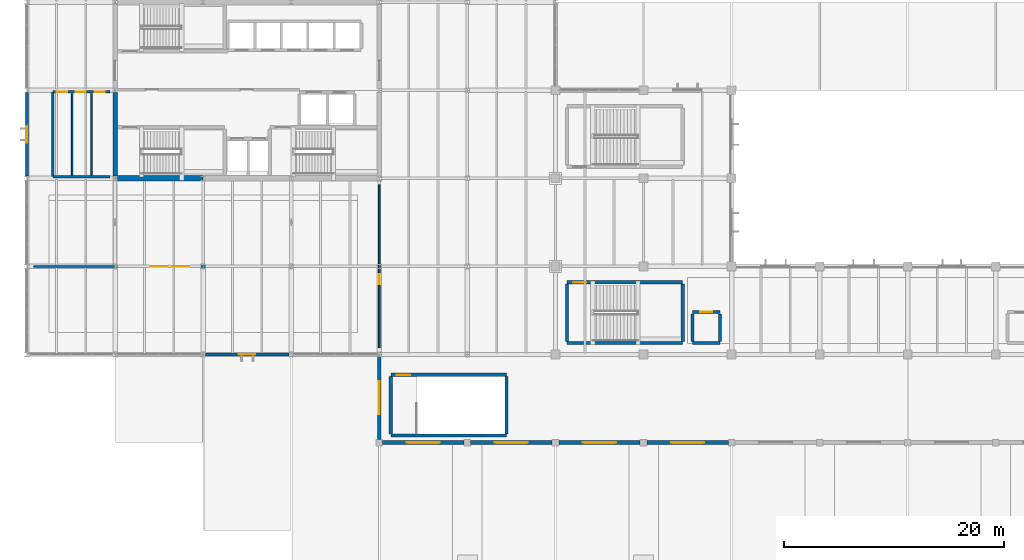
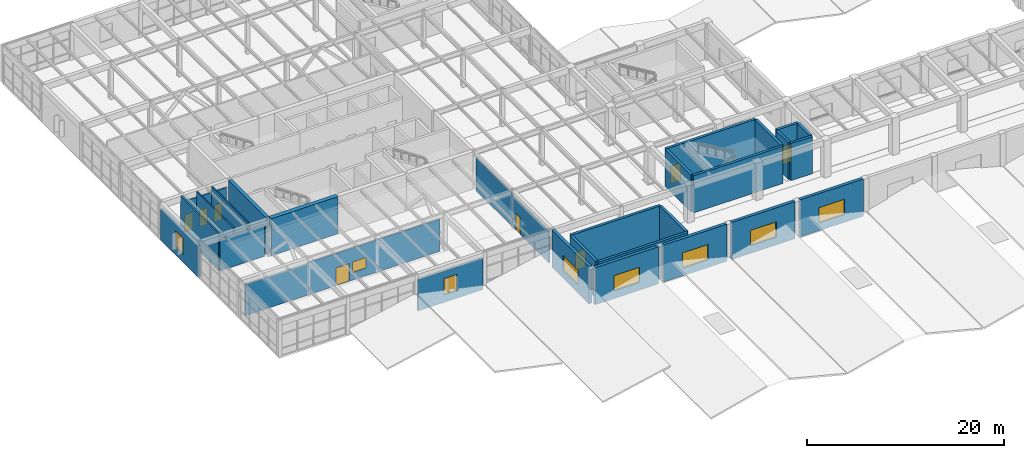
# One storey, part 42 of 60: 30 walls, 8 doors, 8 windows, 16 openings.
"""IFC4 building model written with IfcOpenShell, lengths in metres."""

from ifc_helpers import new_model, si_unit, direction, frame, frame_2d, origin, place, context, subcontext, project, spatial, rectangle, extrude, material, layer, layer_set, type_object, element, fill, save


model = new_model("IFC4")

# Units and contexts
model_context = context("Model", 3, precision=1e-05, world=origin(), true_north=direction((0.0, 1.0)))
body_context = subcontext(model_context, "Body", "Model", "MODEL_VIEW")
ifc_project = project(units=[si_unit("LENGTHUNIT", "METRE"), si_unit("AREAUNIT", "SQUARE_METRE"), si_unit("VOLUMEUNIT", "CUBIC_METRE"), si_unit("PLANEANGLEUNIT", "RADIAN"), si_unit("MASSUNIT", "GRAM", prefix="KILO")], contexts=[model_context])

# Site, building, storey
site_placement = place(None, origin())
site = spatial("IfcSite", under=ifc_project, at=site_placement, CompositionType="ELEMENT")
building_placement = place(site_placement, origin())
building = spatial("IfcBuilding", under=site, at=building_placement, Name="Varnela Railside Interchange", CompositionType="ELEMENT")
storey_placement = place(building_placement, frame((0.0, 0.0, 6.300048828125)))
storey = spatial("IfcBuildingStorey", under=building, at=storey_placement, Name="L01", CompositionType="ELEMENT", Elevation=6.300048828125)

# Walls
ifc_material_1 = material(Name="Gypsum acoustic board")
ifc_layer_1 = layer(ifc_material_1, 0.14990234375)
ifc_layer_set_1 = layer_set([ifc_layer_1], Name="Gypsum acoustic board")
wall_type_1 = type_object("IfcWallType", Name="Acoustic Drywall Partition IW-01", PredefinedType="PARTITIONING", material=ifc_layer_set_1)
for number, where, z_axis, x_axis, name in (
    (1, (8.10009765625, 54.300048828125, 0.0), (0.0, 0.0, 1.0), (0.0, 1.0, 0.0), "Acoustic Drywall Partition IW-01 (L01) (WL-0568)"),
    (2, (9.85009765625, 54.300048828125, 0.0), (0.0, 0.0, 1.0), (0.0, 1.0, 0.0), "Acoustic Drywall Partition IW-01 (L01) (WL-0569)"),
):
    element("IfcWall", number, at=place(storey_placement, frame(where, z_axis=z_axis, x_axis=x_axis)), inside=storey, type_object=wall_type_1, Name=name, PredefinedType="PARTITIONING", context=body_context, shape_type="SweptSolid", body=[
        extrude(rectangle(XDim=7.39990234375, YDim=0.14990234375, at=frame_2d((3.699951171875, 0.0))), origin(), (0.0, 0.0, 1.0), 4.599853515625),
    ])

# Wall, opening, door
wall_1_placement = place(storey_placement, frame((36.0, 38.60009765625, 0.0), z_axis=(0.0, 0.0, 1.0), x_axis=(0.0, 1.0, 0.0)))
wall_1 = element("IfcWall", 3, at=wall_1_placement, inside=storey, type_object=wall_type_1, Name="Acoustic Drywall Partition IW-01 (L01) (WL-0566)", PredefinedType="PARTITIONING", context=body_context, shape_type="SweptSolid", body=[
    extrude(rectangle(XDim=7.39990234375, YDim=0.14990234375, at=frame_2d((3.699951171875, 0.0))), origin(), (0.0, 0.0, 1.0), 3.849853515625),
])
opening_1_placement = place(wall_1_placement, frame((5.800048828125, 0.0, 0.0)))
opening_1 = element("IfcOpeningElement", 4, at=opening_1_placement, cuts=wall_1, Name="Opening D-207", PredefinedType="OPENING", context=body_context, shape_type="SweptSolid", body=[
    extrude(rectangle(XDim=0.89990234375, YDim=2.10009765625, at=frame_2d((0.449951171875, 1.050048828125))), frame((0.0, 0.0849609375, 0.0), z_axis=(0.0, -1.0, 0.0), x_axis=(1.0, 0.0, 0.0)), (0.0, 0.0, 1.0), 0.169921875),
])
ifc_material_2 = material(Name="Timber solid core", Category="wood")
door_type_1 = type_object("IfcDoorType", Name="DR-SGL-900", OperationType="NOTDEFINED", PredefinedType="DOOR", material=ifc_material_2)
door_1_placement = place(opening_1_placement, origin())
door_1 = element("IfcDoor", 5, at=door_1_placement, inside=storey, type_object=door_type_1, Name="Door D-207", OperationType="SINGLE_SWING_LEFT", OverallHeight=2.10009765625, OverallWidth=0.89990234375, PredefinedType="DOOR", context=body_context, shape_type="SweptSolid", body=[
    extrude(rectangle(XDim=0.89990234375, YDim=2.10009765625, at=frame_2d((0.449951171875, 1.050048828125))), frame((0.0, 0.02490234375, 0.0), z_axis=(0.0, -1.0, 0.0), x_axis=(1.0, 0.0, 0.0)), (0.0, 0.0, 1.0), 0.050048828125),
])
fill(opening_1, door_1)

# Wall
wall_2_placement = place(storey_placement, frame((36.0, 46.0, 0.0), z_axis=(0.0, 0.0, 1.0), x_axis=(0.0, 1.0, 0.0)))
element("IfcWall", 6, at=wall_2_placement, inside=storey, type_object=wall_type_1, Name="Acoustic Drywall Partition IW-01 (L01) (WL-0567)", PredefinedType="PARTITIONING", context=body_context, shape_type="SweptSolid", body=[
    extrude(rectangle(XDim=7.39990234375, YDim=0.14990234375, at=frame_2d((3.699951171875, 0.0))), origin(), (0.0, 0.0, 1.0), 4.055908203125),
])

# Wall, opening, window
ifc_material_3 = material(Name="Concrete C40 precast", Category="concrete")
ifc_layer_2 = layer(ifc_material_3, 0.35009765625)
ifc_layer_set_2 = layer_set([ifc_layer_2], Name="Concrete C40 precast")
wall_type_2 = type_object("IfcWallType", Name="Bus Deck Acoustic Concrete Wall EW-04", PredefinedType="STANDARD", material=ifc_layer_set_2)
wall_3_placement = place(storey_placement, frame((67.699951171875, 30.0, 0.0), z_axis=(0.0, 0.0, 1.0), x_axis=(-1.0, 0.0, 0.0)))
wall_3 = element("IfcWall", 7, at=wall_3_placement, inside=storey, type_object=wall_type_2, Name="Bus Deck Acoustic Concrete Wall EW-04 (L01) (WL-0545)", PredefinedType="STANDARD", context=body_context, shape_type="SweptSolid", body=[
    extrude(rectangle(XDim=7.39990234375, YDim=0.35009765625, at=frame_2d((3.699951171875, 0.0))), origin(), (0.0, 0.0, 1.0), 4.599853515625),
])
opening_2_placement = place(wall_3_placement, frame((2.199951171875, 0.0, 0.949951171875)))
opening_2 = element("IfcOpeningElement", 8, at=opening_2_placement, cuts=wall_3, Name="Opening W-055", PredefinedType="OPENING", context=body_context, shape_type="SweptSolid", body=[
    extrude(rectangle(XDim=3.0, YDim=1.89990234375, at=frame_2d((1.5, 0.949951171875))), frame((0.0, 0.18505859375, 0.0), z_axis=(0.0, -1.0, 0.0), x_axis=(1.0, 0.0, 0.0)), (0.0, 0.0, 1.0), 0.3701171875),
])
ifc_material_4 = material(Name="Glass laminated double", Category="glass")
window_type_1 = type_object("IfcWindowType", Name="Bus Overlook Picture Window WN-07", PartitioningType="SINGLE_PANEL", PredefinedType="WINDOW", material=ifc_material_4)
window_1_placement = place(opening_2_placement, origin())
window_1 = element("IfcWindow", 9, at=window_1_placement, inside=storey, type_object=window_type_1, Name="Window W-055", OverallHeight=1.89990234375, OverallWidth=3.0, PartitioningType="SINGLE_PANEL", PredefinedType="WINDOW", context=body_context, shape_type="SweptSolid", body=[
    extrude(rectangle(XDim=3.0, YDim=1.89990234375, at=frame_2d((1.5, 0.949951171875))), frame((0.0, 0.030029296875, 0.0), z_axis=(0.0, -1.0, 0.0), x_axis=(1.0, 0.0, 0.0)), (0.0, 0.0, 1.0), 0.06005859375),
])
fill(opening_2, window_1)

wall_4_placement = place(storey_placement, frame((59.699951171875, 30.0, 0.0), z_axis=(0.0, 0.0, 1.0), x_axis=(-1.0, 0.0, 0.0)))
wall_4 = element("IfcWall", 10, at=wall_4_placement, inside=storey, type_object=wall_type_2, Name="Bus Deck Acoustic Concrete Wall EW-04 (L01) (WL-0546)", PredefinedType="STANDARD", context=body_context, shape_type="SweptSolid", body=[
    extrude(rectangle(XDim=7.39990234375, YDim=0.35009765625, at=frame_2d((3.699951171875, 0.0))), origin(), (0.0, 0.0, 1.0), 4.599853515625),
])
opening_3_placement = place(wall_4_placement, frame((2.199951171875, 0.0, 0.949951171875)))
opening_3 = element("IfcOpeningElement", 11, at=opening_3_placement, cuts=wall_4, Name="Opening W-056", PredefinedType="OPENING", context=body_context, shape_type="SweptSolid", body=[
    extrude(rectangle(XDim=3.0, YDim=1.89990234375, at=frame_2d((1.5, 0.949951171875))), frame((0.0, 0.18505859375, 0.0), z_axis=(0.0, -1.0, 0.0), x_axis=(1.0, 0.0, 0.0)), (0.0, 0.0, 1.0), 0.3701171875),
])
window_2_placement = place(opening_3_placement, origin())
window_2 = element("IfcWindow", 12, at=window_2_placement, inside=storey, type_object=window_type_1, Name="Window W-056", OverallHeight=1.89990234375, OverallWidth=3.0, PartitioningType="SINGLE_PANEL", PredefinedType="WINDOW", context=body_context, shape_type="SweptSolid", body=[
    extrude(rectangle(XDim=3.0, YDim=1.89990234375, at=frame_2d((1.5, 0.949951171875))), frame((0.0, 0.030029296875, 0.0), z_axis=(0.0, -1.0, 0.0), x_axis=(1.0, 0.0, 0.0)), (0.0, 0.0, 1.0), 0.06005859375),
])
fill(opening_3, window_2)

wall_5_placement = place(storey_placement, frame((51.699951171875, 30.0, 0.0), z_axis=(0.0, 0.0, 1.0), x_axis=(-1.0, 0.0, 0.0)))
wall_5 = element("IfcWall", 13, at=wall_5_placement, inside=storey, type_object=wall_type_2, Name="Bus Deck Acoustic Concrete Wall EW-04 (L01) (WL-0547)", PredefinedType="STANDARD", context=body_context, shape_type="SweptSolid", body=[
    extrude(rectangle(XDim=7.39990234375, YDim=0.35009765625, at=frame_2d((3.699951171875, 0.0))), origin(), (0.0, 0.0, 1.0), 4.599853515625),
])
opening_4_placement = place(wall_5_placement, frame((2.199951171875, 0.0, 0.949951171875)))
opening_4 = element("IfcOpeningElement", 14, at=opening_4_placement, cuts=wall_5, Name="Opening W-057", PredefinedType="OPENING", context=body_context, shape_type="SweptSolid", body=[
    extrude(rectangle(XDim=3.0, YDim=1.89990234375, at=frame_2d((1.5, 0.949951171875))), frame((0.0, 0.18505859375, 0.0), z_axis=(0.0, -1.0, 0.0), x_axis=(1.0, 0.0, 0.0)), (0.0, 0.0, 1.0), 0.3701171875),
])
window_3_placement = place(opening_4_placement, origin())
window_3 = element("IfcWindow", 15, at=window_3_placement, inside=storey, type_object=window_type_1, Name="Window W-057", OverallHeight=1.89990234375, OverallWidth=3.0, PartitioningType="SINGLE_PANEL", PredefinedType="WINDOW", context=body_context, shape_type="SweptSolid", body=[
    extrude(rectangle(XDim=3.0, YDim=1.89990234375, at=frame_2d((1.5, 0.949951171875))), frame((0.0, 0.030029296875, 0.0), z_axis=(0.0, -1.0, 0.0), x_axis=(1.0, 0.0, 0.0)), (0.0, 0.0, 1.0), 0.06005859375),
])
fill(opening_4, window_3)

wall_6_placement = place(storey_placement, frame((43.699951171875, 30.0, 0.0), z_axis=(0.0, 0.0, 1.0), x_axis=(-1.0, 0.0, 0.0)))
wall_6 = element("IfcWall", 16, at=wall_6_placement, inside=storey, type_object=wall_type_2, Name="Bus Deck Acoustic Concrete Wall EW-04 (L01) (WL-0548)", PredefinedType="STANDARD", context=body_context, shape_type="SweptSolid", body=[
    extrude(rectangle(XDim=7.39990234375, YDim=0.35009765625, at=frame_2d((3.699951171875, 0.0))), origin(), (0.0, 0.0, 1.0), 4.599853515625),
])
opening_5_placement = place(wall_6_placement, frame((2.199951171875, 0.0, 0.949951171875)))
opening_5 = element("IfcOpeningElement", 17, at=opening_5_placement, cuts=wall_6, Name="Opening W-058", PredefinedType="OPENING", context=body_context, shape_type="SweptSolid", body=[
    extrude(rectangle(XDim=3.0, YDim=1.89990234375, at=frame_2d((1.5, 0.949951171875))), frame((0.0, 0.18505859375, 0.0), z_axis=(0.0, -1.0, 0.0), x_axis=(1.0, 0.0, 0.0)), (0.0, 0.0, 1.0), 0.3701171875),
])
window_4_placement = place(opening_5_placement, origin())
window_4 = element("IfcWindow", 18, at=window_4_placement, inside=storey, type_object=window_type_1, Name="Window W-058", OverallHeight=1.89990234375, OverallWidth=3.0, PartitioningType="SINGLE_PANEL", PredefinedType="WINDOW", context=body_context, shape_type="SweptSolid", body=[
    extrude(rectangle(XDim=3.0, YDim=1.89990234375, at=frame_2d((1.5, 0.949951171875))), frame((0.0, 0.030029296875, 0.0), z_axis=(0.0, -1.0, 0.0), x_axis=(1.0, 0.0, 0.0)), (0.0, 0.0, 1.0), 0.06005859375),
])
fill(opening_5, window_4)

wall_7_placement = place(storey_placement, frame((36.0, 30.300048828125, 0.0), z_axis=(0.0, 0.0, 1.0), x_axis=(0.0, 1.0, 0.0)))
wall_7 = element("IfcWall", 19, at=wall_7_placement, inside=storey, type_object=wall_type_2, Name="Bus Deck Acoustic Concrete Wall EW-04 (L01) (WL-0549)", PredefinedType="STANDARD", context=body_context, shape_type="SweptSolid", body=[
    extrude(rectangle(XDim=7.50634765625, YDim=0.35009765625, at=frame_2d((3.753173828125, 0.0))), origin(), (0.0, 0.0, 1.0), 4.599853515625),
])
opening_6_placement = place(wall_7_placement, frame((2.253173828125, 0.0, 0.949951171875)))
opening_6 = element("IfcOpeningElement", 20, at=opening_6_placement, cuts=wall_7, Name="Opening W-059", PredefinedType="OPENING", context=body_context, shape_type="SweptSolid", body=[
    extrude(rectangle(XDim=3.0, YDim=1.89990234375, at=frame_2d((1.5, 0.949951171875))), frame((0.0, 0.18505859375, 0.0), z_axis=(0.0, -1.0, 0.0), x_axis=(1.0, 0.0, 0.0)), (0.0, 0.0, 1.0), 0.3701171875),
])
window_5_placement = place(opening_6_placement, origin())
window_5 = element("IfcWindow", 21, at=window_5_placement, inside=storey, type_object=window_type_1, Name="Window W-059", OverallHeight=1.89990234375, OverallWidth=3.0, PartitioningType="SINGLE_PANEL", PredefinedType="WINDOW", context=body_context, shape_type="SweptSolid", body=[
    extrude(rectangle(XDim=3.0, YDim=1.89990234375, at=frame_2d((1.5, 0.949951171875))), frame((0.0, 0.030029296875, 0.0), z_axis=(0.0, -1.0, 0.0), x_axis=(1.0, 0.0, 0.0)), (0.0, 0.0, 1.0), 0.06005859375),
])
fill(opening_6, window_5)

# Walls
ifc_material_5 = material(Name="Concrete C50", Category="concrete")
ifc_layer_3 = layer(ifc_material_5, 0.39990234375)
ifc_layer_set_3 = layer_set([ifc_layer_3], Name="Concrete C50")
wall_type_3 = type_object("IfcWallType", Name="Core Coupling Shear Wall SW-02", PredefinedType="SHEAR", material=ifc_layer_set_3)
wall_8_placement = place(storey_placement, frame((12.0, 54.199462890625, 0.0), z_axis=(0.0, 0.0, 1.0), x_axis=(0.0, 1.0, 0.0)))
element("IfcWall", 22, at=wall_8_placement, inside=storey, type_object=wall_type_3, Name="Core Coupling Shear Wall SW-02 (L01) (WL-0510)", PredefinedType="SHEAR", context=body_context, shape_type="SweptSolid", body=[
    extrude(rectangle(XDim=7.60107421875, YDim=0.39990234375, at=frame_2d((3.800537109375, 0.0))), origin(), (0.0, 0.0, 1.0), 4.599853515625),
])
ifc_layer_4 = layer(ifc_material_5, 0.5)
ifc_layer_set_4 = layer_set([ifc_layer_4], Name="Concrete C50")
wall_type_4 = type_object("IfcWallType", Name="Core Primary Shear Wall SW-01", PredefinedType="SHEAR", material=ifc_layer_set_4)
wall_9_placement = place(storey_placement, frame((12.200439453125, 54.0, 0.0), z_axis=(0.0, 0.0, 1.0), x_axis=(1.0, 0.0, 0.0)))
element("IfcWall", 23, at=wall_9_placement, inside=storey, type_object=wall_type_4, Name="Core Primary Shear Wall SW-01 (L01) (WL-0501)", PredefinedType="SHEAR", context=body_context, shape_type="SweptSolid", body=[
    extrude(rectangle(XDim=7.799560546875, YDim=0.5, at=frame_2d((3.89990234375, 0.0))), origin(), (0.0, 0.0, 1.0), 4.599853515625),
])
ifc_layer_5 = layer(ifc_material_1, 0.179931640625)
ifc_layer_set_5 = layer_set([ifc_layer_5], Name="Gypsum acoustic board")
wall_type_5 = type_object("IfcWallType", Name="Double-Stud Corridor Wall IW-02", PredefinedType="PARTITIONING", material=ifc_layer_set_5)
wall_10_placement = place(storey_placement, frame((4.60009765625, 46.0, 0.0), z_axis=(0.0, 0.0, 1.0), x_axis=(1.0, 0.0, 0.0)))
element("IfcWall", 24, at=wall_10_placement, inside=storey, type_object=wall_type_5, Name="Double-Stud Corridor Wall IW-02 (L01) (WL-0564)", PredefinedType="PARTITIONING", context=body_context, shape_type="SweptSolid", body=[
    extrude(rectangle(XDim=7.39990234375, YDim=0.199951171875, at=frame_2d((3.699951171875, 0.0))), origin(), (0.0, 0.0, 1.0), 3.849853515625),
])

# Wall, openings, door, window
wall_11_placement = place(storey_placement, frame((12.0, 46.0, 0.0), z_axis=(0.0, 0.0, 1.0), x_axis=(1.0, 0.0, 0.0)))
wall_11 = element("IfcWall", 25, at=wall_11_placement, inside=storey, type_object=wall_type_5, Name="Double-Stud Corridor Wall IW-02 (L01) (WL-0565)", PredefinedType="PARTITIONING", context=body_context, shape_type="SweptSolid", body=[
    extrude(rectangle(XDim=15.39990234375, YDim=0.199951171875, at=frame_2d((7.699951171875, 0.0))), origin(), (0.0, 0.0, 1.0), 3.988037109375),
])
opening_7_placement = place(wall_11_placement, frame((3.199951171875, 0.0, 0.0)))
opening_7 = element("IfcOpeningElement", 26, at=opening_7_placement, cuts=wall_11, Name="Opening D-205", PredefinedType="OPENING", context=body_context, shape_type="SweptSolid", body=[
    extrude(rectangle(XDim=1.60009765625, YDim=2.199951171875, at=frame_2d((0.800048828125, 1.10009765625))), frame((0.0, 0.10986328125, 0.0), z_axis=(0.0, -1.0, 0.0), x_axis=(1.0, 0.0, 0.0)), (0.0, 0.0, 1.0), 0.219970703125),
])
opening_8_placement = place(wall_11_placement, frame((5.14990234375, 0.0, 0.949951171875)))
opening_8 = element("IfcOpeningElement", 27, at=opening_8_placement, cuts=wall_11, Name="Opening IW-008", PredefinedType="OPENING", context=body_context, shape_type="SweptSolid", body=[
    extrude(rectangle(XDim=1.60009765625, YDim=1.300048828125, at=frame_2d((0.800048828125, 0.64990234375))), frame((0.0, 0.10986328125, 0.0), z_axis=(0.0, -1.0, 0.0), x_axis=(1.0, 0.0, 0.0)), (0.0, 0.0, 1.0), 0.219970703125),
])
door_type_2 = type_object("IfcDoorType", Name="DR-DBL-1600", OperationType="DOUBLE_DOOR_SINGLE_SWING", PredefinedType="DOOR", material=ifc_material_4)
door_2_placement = place(opening_7_placement, origin())
door_2 = element("IfcDoor", 28, at=door_2_placement, inside=storey, type_object=door_type_2, Name="Door D-205", OperationType="DOUBLE_DOOR_SINGLE_SWING", OverallHeight=2.199951171875, OverallWidth=1.60009765625, PredefinedType="DOOR", context=body_context, shape_type="SweptSolid", body=[
    extrude(rectangle(XDim=1.60009765625, YDim=2.199951171875, at=frame_2d((0.800048828125, 1.10009765625))), frame((0.0, 0.02490234375, 0.0), z_axis=(0.0, -1.0, 0.0), x_axis=(1.0, 0.0, 0.0)), (0.0, 0.0, 1.0), 0.050048828125),
])
fill(opening_7, door_2)
window_type_2 = type_object("IfcWindowType", Name="Interior Acoustic Vision Window IW-WN1", PartitioningType="SINGLE_PANEL", PredefinedType="WINDOW", material=ifc_material_4)
window_6_placement = place(opening_8_placement, origin())
window_6 = element("IfcWindow", 29, at=window_6_placement, inside=storey, type_object=window_type_2, Name="Window IW-008", OverallHeight=1.300048828125, OverallWidth=1.60009765625, PartitioningType="SINGLE_PANEL", PredefinedType="WINDOW", context=body_context, shape_type="SweptSolid", body=[
    extrude(rectangle(XDim=1.60009765625, YDim=1.300048828125, at=frame_2d((0.800048828125, 0.64990234375))), frame((0.0, 0.030029296875, 0.0), z_axis=(0.0, -1.0, 0.0), x_axis=(1.0, 0.0, 0.0)), (0.0, 0.0, 1.0), 0.06005859375),
])
fill(opening_8, window_6)

# Wall, opening, window
ifc_layer_6 = layer(ifc_material_3, 0.280029296875)
ifc_layer_set_6 = layer_set([ifc_layer_6], Name="Concrete C40 precast")
wall_type_6 = type_object("IfcWallType", Name="Ribbed Precast Concrete Facade Wall EW-02", PredefinedType="STANDARD", material=ifc_layer_set_6)
wall_12_placement = place(storey_placement, frame((4.0, 54.193603515625, 0.0), z_axis=(0.0, 0.0, 1.0), x_axis=(0.0, 1.0, 0.0)))
wall_12 = element("IfcWall", 30, at=wall_12_placement, inside=storey, type_object=wall_type_6, Name="Ribbed Precast Concrete Facade Wall EW-02 (L01) (WL-0524)", PredefinedType="STANDARD", context=body_context, shape_type="SweptSolid", body=[
    extrude(rectangle(XDim=7.61279296875, YDim=0.280029296875, at=frame_2d((3.806396484375, 0.0))), origin(), (0.0, 0.0, 1.0), 3.849853515625),
])
opening_9_placement = place(wall_12_placement, frame((3.056396484375, 0.0, 0.949951171875)))
opening_9 = element("IfcOpeningElement", 31, at=opening_9_placement, cuts=wall_12, Name="Opening W-022", PredefinedType="OPENING", context=body_context, shape_type="SweptSolid", body=[
    extrude(rectangle(XDim=1.5, YDim=2.0, at=frame_2d((0.75, 1.0))), frame((0.0, 0.14990234375, 0.0), z_axis=(0.0, -1.0, 0.0), x_axis=(1.0, 0.0, 0.0)), (0.0, 0.0, 1.0), 0.300048828125),
])
window_type_3 = type_object("IfcWindowType", Name="Operations Modular Window WN-04", PartitioningType="SINGLE_PANEL", PredefinedType="WINDOW", material=ifc_material_4)
window_7_placement = place(opening_9_placement, origin())
window_7 = element("IfcWindow", 32, at=window_7_placement, inside=storey, type_object=window_type_3, Name="Window W-022", OverallHeight=2.0, OverallWidth=1.5, PartitioningType="SINGLE_PANEL", PredefinedType="WINDOW", context=body_context, shape_type="SweptSolid", body=[
    extrude(rectangle(XDim=1.5, YDim=2.0, at=frame_2d((0.75, 1.0))), frame((0.0, 0.030029296875, 0.0), z_axis=(0.0, -1.0, 0.0), x_axis=(1.0, 0.0, 0.0)), (0.0, 0.0, 1.0), 0.06005859375),
])
fill(opening_9, window_7)

wall_13_placement = place(storey_placement, frame((27.801025390625, 38.0, 0.0), z_axis=(0.0, 0.0, 1.0), x_axis=(-1.0, 0.0, 0.0)))
wall_13 = element("IfcWall", 33, at=wall_13_placement, inside=storey, type_object=wall_type_6, Name="Ribbed Precast Concrete Facade Wall EW-02 (L01) (WL-0550)", PredefinedType="STANDARD", context=body_context, shape_type="SweptSolid", body=[
    extrude(rectangle(XDim=7.60205078125, YDim=0.280029296875, at=frame_2d((3.801025390625, 0.0))), origin(), (0.0, 0.0, 1.0), 3.849853515625),
])
opening_10_placement = place(wall_13_placement, frame((3.051025390625, 0.0, 0.949951171875)))
opening_10 = element("IfcOpeningElement", 34, at=opening_10_placement, cuts=wall_13, Name="Opening W-060", PredefinedType="OPENING", context=body_context, shape_type="SweptSolid", body=[
    extrude(rectangle(XDim=1.5, YDim=2.0, at=frame_2d((0.75, 1.0))), frame((0.0, 0.14990234375, 0.0), z_axis=(0.0, -1.0, 0.0), x_axis=(1.0, 0.0, 0.0)), (0.0, 0.0, 1.0), 0.300048828125),
])
window_8_placement = place(opening_10_placement, origin())
window_8 = element("IfcWindow", 35, at=window_8_placement, inside=storey, type_object=window_type_3, Name="Window W-060", OverallHeight=2.0, OverallWidth=1.5, PartitioningType="SINGLE_PANEL", PredefinedType="WINDOW", context=body_context, shape_type="SweptSolid", body=[
    extrude(rectangle(XDim=1.5, YDim=2.0, at=frame_2d((0.75, 1.0))), frame((0.0, 0.030029296875, 0.0), z_axis=(0.0, -1.0, 0.0), x_axis=(1.0, 0.0, 0.0)), (0.0, 0.0, 1.0), 0.06005859375),
])
fill(opening_10, window_8)

# Wall, openings, doors
ifc_material_6 = material(Name="Masonry concrete block", Category="masonry")
ifc_layer_7 = layer(ifc_material_6, 0.2099609375)
ifc_layer_set_7 = layer_set([ifc_layer_7], Name="Masonry concrete block")
wall_type_7 = type_object("IfcWallType", Name="Sanitary Plumbing Chase Wall IW-04", PredefinedType="PLUMBINGWALL", material=ifc_layer_set_7)
wall_14_placement = place(storey_placement, frame((6.35009765625, 61.85009765625, 0.0), z_axis=(0.0, 0.0, 1.0), x_axis=(1.0, 0.0, 0.0)))
wall_14 = element("IfcWall", 36, at=wall_14_placement, inside=storey, type_object=wall_type_7, Name="Sanitary Plumbing Chase Wall IW-04 (L01) (WL-0570)", PredefinedType="PLUMBINGWALL", context=body_context, shape_type="SweptSolid", body=[
    extrude(rectangle(XDim=5.199951171875, YDim=0.2099609375, at=frame_2d((2.60009765625, 0.0))), origin(), (0.0, 0.0, 1.0), 3.849853515625),
])
opening_11_placement = place(wall_14_placement, frame((0.35009765625, 0.0, 0.0)))
opening_11 = element("IfcOpeningElement", 37, at=opening_11_placement, cuts=wall_14, Name="Opening D-197", PredefinedType="OPENING", context=body_context, shape_type="SweptSolid", body=[
    extrude(rectangle(XDim=0.949951171875, YDim=2.10009765625, at=frame_2d((0.47509765625, 1.050048828125))), frame((0.0, 0.114990234375, 0.0), z_axis=(0.0, -1.0, 0.0), x_axis=(1.0, 0.0, 0.0)), (0.0, 0.0, 1.0), 0.22998046875),
])
opening_12_placement = place(wall_14_placement, frame((2.10009765625, 0.0, 0.0)))
opening_12 = element("IfcOpeningElement", 38, at=opening_12_placement, cuts=wall_14, Name="Opening D-198", PredefinedType="OPENING", context=body_context, shape_type="SweptSolid", body=[
    extrude(rectangle(XDim=0.89990234375, YDim=2.10009765625, at=frame_2d((0.449951171875, 1.050048828125))), frame((0.0, 0.114990234375, 0.0), z_axis=(0.0, -1.0, 0.0), x_axis=(1.0, 0.0, 0.0)), (0.0, 0.0, 1.0), 0.22998046875),
])
opening_13_placement = place(wall_14_placement, frame((3.800048828125, 0.0, 0.0)))
opening_13 = element("IfcOpeningElement", 39, at=opening_13_placement, cuts=wall_14, Name="Opening D-199", PredefinedType="OPENING", context=body_context, shape_type="SweptSolid", body=[
    extrude(rectangle(XDim=0.89990234375, YDim=2.10009765625, at=frame_2d((0.449951171875, 1.050048828125))), frame((0.0, 0.114990234375, 0.0), z_axis=(0.0, -1.0, 0.0), x_axis=(1.0, 0.0, 0.0)), (0.0, 0.0, 1.0), 0.22998046875),
])
door_3_placement = place(opening_12_placement, origin())
door_3 = element("IfcDoor", 40, at=door_3_placement, inside=storey, type_object=door_type_1, Name="Door D-198", OperationType="SINGLE_SWING_RIGHT", OverallHeight=2.10009765625, OverallWidth=0.89990234375, PredefinedType="DOOR", context=body_context, shape_type="SweptSolid", body=[
    extrude(rectangle(XDim=0.89990234375, YDim=2.10009765625, at=frame_2d((0.449951171875, 1.050048828125))), frame((0.0, 0.02490234375, 0.0), z_axis=(0.0, -1.0, 0.0), x_axis=(1.0, 0.0, 0.0)), (0.0, 0.0, 1.0), 0.050048828125),
])
fill(opening_12, door_3)
door_4_placement = place(opening_13_placement, origin())
door_4 = element("IfcDoor", 41, at=door_4_placement, inside=storey, type_object=door_type_1, Name="Door D-199", OperationType="SINGLE_SWING_LEFT", OverallHeight=2.10009765625, OverallWidth=0.89990234375, PredefinedType="DOOR", context=body_context, shape_type="SweptSolid", body=[
    extrude(rectangle(XDim=0.89990234375, YDim=2.10009765625, at=frame_2d((0.449951171875, 1.050048828125))), frame((0.0, 0.02490234375, 0.0), z_axis=(0.0, -1.0, 0.0), x_axis=(1.0, 0.0, 0.0)), (0.0, 0.0, 1.0), 0.050048828125),
])
fill(opening_13, door_4)
door_type_3 = type_object("IfcDoorType", Name="DR-SGL-950-ACC", OperationType="NOTDEFINED", PredefinedType="DOOR", material=ifc_material_2)
door_5_placement = place(opening_11_placement, origin())
door_5 = element("IfcDoor", 42, at=door_5_placement, inside=storey, type_object=door_type_3, Name="Door D-197", OperationType="SINGLE_SWING_LEFT", OverallHeight=2.10009765625, OverallWidth=0.949951171875, PredefinedType="DOOR", context=body_context, shape_type="SweptSolid", body=[
    extrude(rectangle(XDim=0.949951171875, YDim=2.10009765625, at=frame_2d((0.47509765625, 1.050048828125))), frame((0.0, 0.02490234375, 0.0), z_axis=(0.0, -1.0, 0.0), x_axis=(1.0, 0.0, 0.0)), (0.0, 0.0, 1.0), 0.050048828125),
])
fill(opening_11, door_5)

# Walls
wall_15_placement = place(storey_placement, frame((6.35009765625, 54.14990234375, 0.0), z_axis=(0.0, 0.0, 1.0), x_axis=(1.0, 0.0, 0.0)))
element("IfcWall", 43, at=wall_15_placement, inside=storey, type_object=wall_type_7, Name="Sanitary Plumbing Chase Wall IW-04 (L01) (WL-0571)", PredefinedType="PLUMBINGWALL", context=body_context, shape_type="SweptSolid", body=[
    extrude(rectangle(XDim=5.199951171875, YDim=0.2099609375, at=frame_2d((2.60009765625, 0.0))), origin(), (0.0, 0.0, 1.0), 3.849853515625),
])
wall_16_placement = place(storey_placement, frame((6.35009765625, 54.14990234375, 0.0), z_axis=(0.0, 0.0, 1.0), x_axis=(0.0, 1.0, 0.0)))
element("IfcWall", 44, at=wall_16_placement, inside=storey, type_object=wall_type_7, Name="Sanitary Plumbing Chase Wall IW-04 (L01) (WL-0572)", PredefinedType="PLUMBINGWALL", context=body_context, shape_type="SweptSolid", body=[
    extrude(rectangle(XDim=7.7001953125, YDim=0.2099609375, at=frame_2d((3.85009765625, 0.0))), origin(), (0.0, 0.0, 1.0), 4.599853515625),
])

# Wall, opening, door
ifc_layer_8 = layer(ifc_material_5, 0.300048828125)
ifc_layer_set_8 = layer_set([ifc_layer_8], Name="Concrete C50")
wall_type_8 = type_object("IfcWallType", Name="Stair & Lift Shaft Wall SW-03", PredefinedType="SHEAR", material=ifc_layer_set_8)
wall_17_placement = place(storey_placement, frame((53.050048828125, 44.550048828125, 0.0), z_axis=(0.0, 0.0, 1.0), x_axis=(1.0, 0.0, 0.0)))
wall_17 = element("IfcWall", 45, at=wall_17_placement, inside=storey, type_object=wall_type_8, Name="Stair & Lift Shaft Wall SW-03 (L01) (WL-0586)", PredefinedType="SHEAR", context=body_context, shape_type="SweptSolid", body=[
    extrude(rectangle(XDim=10.5, YDim=0.300048828125, at=frame_2d((5.25, 0.0))), origin(), (0.0, 0.0, 1.0), 4.599853515625),
])
opening_14_placement = place(wall_17_placement, frame((0.550048828125, 0.0, 0.0)))
opening_14 = element("IfcOpeningElement", 46, at=opening_14_placement, cuts=wall_17, Name="Opening D-190", PredefinedType="OPENING", context=body_context, shape_type="SweptSolid", body=[
    extrude(rectangle(XDim=1.199951171875, YDim=2.199951171875, at=frame_2d((0.60009765625, 1.10009765625))), frame((0.0, 0.159912109375, 0.0), z_axis=(0.0, -1.0, 0.0), x_axis=(1.0, 0.0, 0.0)), (0.0, 0.0, 1.0), 0.320068359375),
])
ifc_material_7 = material(Name="Steel AR 350 (350 MPa)", Category="steel")
door_type_4 = type_object("IfcDoorType", Name="DR-SGL-1200-FD90", OperationType="NOTDEFINED", PredefinedType="DOOR", material=ifc_material_7)
door_6_placement = place(opening_14_placement, frame((1.199951171875, 0.0, 0.0), z_axis=(0.0, 0.0, 1.0), x_axis=(-1.0, 0.0, 0.0)))
door_6 = element("IfcDoor", 47, at=door_6_placement, inside=storey, type_object=door_type_4, Name="Door D-190", OperationType="SINGLE_SWING_RIGHT", OverallHeight=2.199951171875, OverallWidth=1.199951171875, PredefinedType="DOOR", context=body_context, shape_type="SweptSolid", body=[
    extrude(rectangle(XDim=1.199951171875, YDim=2.199951171875, at=frame_2d((0.60009765625, 1.10009765625))), frame((0.0, 0.02490234375, 0.0), z_axis=(0.0, -1.0, 0.0), x_axis=(1.0, 0.0, 0.0)), (0.0, 0.0, 1.0), 0.050048828125),
])
fill(opening_14, door_6)

# Walls
wall_18_placement = place(storey_placement, frame((53.050048828125, 39.050048828125, 0.0), z_axis=(0.0, 0.0, 1.0), x_axis=(1.0, 0.0, 0.0)))
element("IfcWall", 48, at=wall_18_placement, inside=storey, type_object=wall_type_8, Name="Stair & Lift Shaft Wall SW-03 (L01) (WL-0587)", PredefinedType="SHEAR", context=body_context, shape_type="SweptSolid", body=[
    extrude(rectangle(XDim=10.5, YDim=0.300048828125, at=frame_2d((5.25, 0.0))), origin(), (0.0, 0.0, 1.0), 4.599853515625),
])
for number, where, z_axis, x_axis, name in (
    (49, (53.050048828125, 39.199951171875, 0.0), (0.0, 0.0, 1.0), (0.0, 1.0, 0.0), "Stair & Lift Shaft Wall SW-03 (L01) (WL-0588)"),
    (50, (63.550048828125, 39.199951171875, 0.0), (0.0, 0.0, 1.0), (0.0, 1.0, 0.0), "Stair & Lift Shaft Wall SW-03 (L01) (WL-0585)"),
):
    element("IfcWall", number, at=place(storey_placement, frame(where, z_axis=z_axis, x_axis=x_axis)), inside=storey, type_object=wall_type_8, Name=name, PredefinedType="SHEAR", context=body_context, shape_type="SweptSolid", body=[
        extrude(rectangle(XDim=5.199951171875, YDim=0.300048828125, at=frame_2d((2.60009765625, 0.0))), origin(), (0.0, 0.0, 1.0), 4.599853515625),
    ])

# Wall, opening, door
wall_19_placement = place(storey_placement, frame((37.050048828125, 36.14990234375, 0.0), z_axis=(0.0, 0.0, 1.0), x_axis=(1.0, 0.0, 0.0)))
wall_19 = element("IfcWall", 51, at=wall_19_placement, inside=storey, type_object=wall_type_8, Name="Stair & Lift Shaft Wall SW-03 (L01) (WL-0614)", PredefinedType="SHEAR", context=body_context, shape_type="SweptSolid", body=[
    extrude(rectangle(XDim=10.5, YDim=0.300048828125, at=frame_2d((5.25, 0.0))), origin(), (0.0, 0.0, 1.0), 4.599853515625),
])
opening_15_placement = place(wall_19_placement, frame((0.550048828125, 0.0, 0.0)))
opening_15 = element("IfcOpeningElement", 52, at=opening_15_placement, cuts=wall_19, Name="Opening D-194", PredefinedType="OPENING", context=body_context, shape_type="SweptSolid", body=[
    extrude(rectangle(XDim=1.199951171875, YDim=2.199951171875, at=frame_2d((0.60009765625, 1.10009765625))), frame((0.0, 0.159912109375, 0.0), z_axis=(0.0, -1.0, 0.0), x_axis=(1.0, 0.0, 0.0)), (0.0, 0.0, 1.0), 0.320068359375),
])
door_7_placement = place(opening_15_placement, frame((1.199951171875, 0.0, 0.0), z_axis=(0.0, 0.0, 1.0), x_axis=(-1.0, 0.0, 0.0)))
door_7 = element("IfcDoor", 53, at=door_7_placement, inside=storey, type_object=door_type_4, Name="Door D-194", OperationType="SINGLE_SWING_RIGHT", OverallHeight=2.199951171875, OverallWidth=1.199951171875, PredefinedType="DOOR", context=body_context, shape_type="SweptSolid", body=[
    extrude(rectangle(XDim=1.199951171875, YDim=2.199951171875, at=frame_2d((0.60009765625, 1.10009765625))), frame((0.0, 0.02490234375, 0.0), z_axis=(0.0, -1.0, 0.0), x_axis=(1.0, 0.0, 0.0)), (0.0, 0.0, 1.0), 0.050048828125),
])
fill(opening_15, door_7)

# Walls
wall_20_placement = place(storey_placement, frame((37.050048828125, 30.64990234375, 0.0), z_axis=(0.0, 0.0, 1.0), x_axis=(1.0, 0.0, 0.0)))
element("IfcWall", 54, at=wall_20_placement, inside=storey, type_object=wall_type_8, Name="Stair & Lift Shaft Wall SW-03 (L01) (WL-0615)", PredefinedType="SHEAR", context=body_context, shape_type="SweptSolid", body=[
    extrude(rectangle(XDim=10.5, YDim=0.300048828125, at=frame_2d((5.25, 0.0))), origin(), (0.0, 0.0, 1.0), 4.599853515625),
])
for number, where, z_axis, x_axis, name in (
    (55, (37.050048828125, 30.800048828125, 0.0), (0.0, 0.0, 1.0), (0.0, 1.0, 0.0), "Stair & Lift Shaft Wall SW-03 (L01) (WL-0616)"),
    (56, (47.550048828125, 30.800048828125, 0.0), (0.0, 0.0, 1.0), (0.0, 1.0, 0.0), "Stair & Lift Shaft Wall SW-03 (L01) (WL-0613)"),
):
    element("IfcWall", number, at=place(storey_placement, frame(where, z_axis=z_axis, x_axis=x_axis)), inside=storey, type_object=wall_type_8, Name=name, PredefinedType="SHEAR", context=body_context, shape_type="SweptSolid", body=[
        extrude(rectangle(XDim=5.199951171875, YDim=0.300048828125, at=frame_2d((2.60009765625, 0.0))), origin(), (0.0, 0.0, 1.0), 4.599853515625),
    ])

# Wall, opening, door
wall_21_placement = place(storey_placement, frame((64.449951171875, 41.85009765625, 0.0), z_axis=(0.0, 0.0, 1.0), x_axis=(1.0, 0.0, 0.0)))
wall_21 = element("IfcWall", 57, at=wall_21_placement, inside=storey, type_object=wall_type_8, Name="Stair & Lift Shaft Wall SW-03 (L01) (WL-0574)", PredefinedType="SHEAR", context=body_context, shape_type="SweptSolid", body=[
    extrude(rectangle(XDim=2.5, YDim=0.300048828125, at=frame_2d((1.25, 0.0))), origin(), (0.0, 0.0, 1.0), 4.599853515625),
])
opening_16_placement = place(wall_21_placement, frame((0.699951171875, 0.0, 0.0)))
opening_16 = element("IfcOpeningElement", 58, at=opening_16_placement, cuts=wall_21, Name="Opening LD-040", PredefinedType="OPENING", context=body_context, shape_type="SweptSolid", body=[
    extrude(rectangle(XDim=1.080078125, YDim=2.199951171875, at=frame_2d((0.5400390625, 1.10009765625))), frame((0.0, 0.159912109375, 0.0), z_axis=(0.0, -1.0, 0.0), x_axis=(1.0, 0.0, 0.0)), (0.0, 0.0, 1.0), 0.320068359375),
])
door_type_5 = type_object("IfcDoorType", Name="DR-LIFT-1080", OperationType="SLIDING_TO_LEFT", PredefinedType="DOOR", material=ifc_material_7)
door_8_placement = place(opening_16_placement, origin())
door_8 = element("IfcDoor", 59, at=door_8_placement, inside=storey, type_object=door_type_5, Name="Door LD-040", OperationType="SLIDING_TO_LEFT", OverallHeight=2.199951171875, OverallWidth=1.080078125, PredefinedType="DOOR", context=body_context, shape_type="SweptSolid", body=[
    extrude(rectangle(XDim=1.080078125, YDim=2.199951171875, at=frame_2d((0.5400390625, 1.10009765625))), frame((0.0, 0.02490234375, 0.0), z_axis=(0.0, -1.0, 0.0), x_axis=(1.0, 0.0, 0.0)), (0.0, 0.0, 1.0), 0.050048828125),
])
fill(opening_16, door_8)

# Walls
for number, where, z_axis, x_axis, name in (
    (60, (64.449951171875, 39.050048828125, 0.0), (0.0, 0.0, 1.0), (1.0, 0.0, 0.0), "Stair & Lift Shaft Wall SW-03 (L01) (WL-0575)"),
    (61, (64.449951171875, 39.199951171875, 0.0), (0.0, 0.0, 1.0), (0.0, 1.0, 0.0), "Stair & Lift Shaft Wall SW-03 (L01) (WL-0576)"),
    (62, (66.949951171875, 39.199951171875, 0.0), (0.0, 0.0, 1.0), (0.0, 1.0, 0.0), "Stair & Lift Shaft Wall SW-03 (L01) (WL-0573)"),
):
    element("IfcWall", number, at=place(storey_placement, frame(where, z_axis=z_axis, x_axis=x_axis)), inside=storey, type_object=wall_type_8, Name=name, PredefinedType="SHEAR", context=body_context, shape_type="SweptSolid", body=[
        extrude(rectangle(XDim=2.5, YDim=0.300048828125, at=frame_2d((1.25, 0.0))), origin(), (0.0, 0.0, 1.0), 4.599853515625),
    ])

save(model, "model.ifc")
